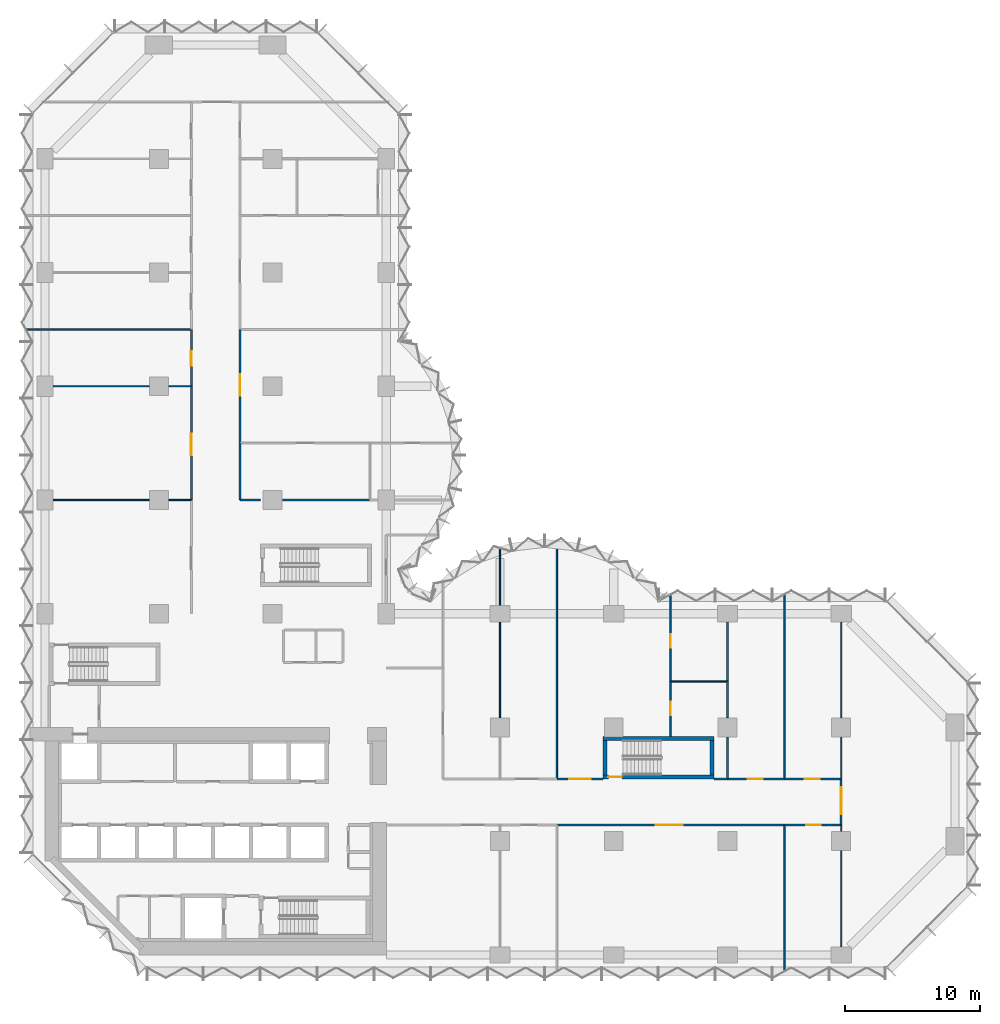
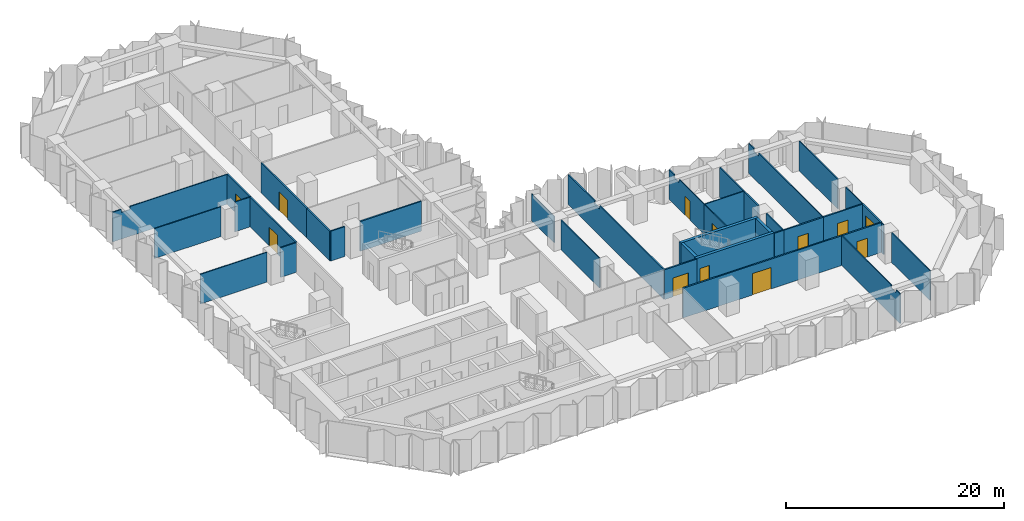
# One storey, part 10 of 15: 37 walls, 12 doors, 12 openings.
"""IFC4 building model written with IfcOpenShell, lengths in metres."""

from ifc_helpers import new_model, si_unit, direction, frame, frame_2d, origin, place, context, subcontext, project, spatial, polyline, rectangle, outline, extrude, material, layer, layer_set, type_object, element, fill, save


model = new_model("IFC4")

# Units and contexts
model_context = context("Model", 3, precision=1e-05, world=origin(), true_north=direction((0.0, 1.0)))
body_context = subcontext(model_context, "Body", "Model", "MODEL_VIEW")
ifc_project = project(units=[si_unit("LENGTHUNIT", "METRE"), si_unit("AREAUNIT", "SQUARE_METRE"), si_unit("VOLUMEUNIT", "CUBIC_METRE"), si_unit("PLANEANGLEUNIT", "RADIAN"), si_unit("MASSUNIT", "GRAM", prefix="KILO")], contexts=[model_context])

# Site, building, storey
site_placement = place(None, origin())
site = spatial("IfcSite", under=ifc_project, at=site_placement, CompositionType="ELEMENT")
building_placement = place(site_placement, origin())
building = spatial("IfcBuilding", under=site, at=building_placement, Name="Brevane Broadcast Tower", CompositionType="ELEMENT")
storey_placement = place(building_placement, frame((0.0, 0.0, 76.10009765625)))
storey = spatial("IfcBuildingStorey", under=building, at=storey_placement, Name="L17", CompositionType="ELEMENT", Elevation=76.10009765625)

# Wall, opening, door
ifc_material_1 = material(Name="Concrete C80/95", Category="concrete")
ifc_layer_1 = layer(ifc_material_1, 0.300048828125)
ifc_layer_set_1 = layer_set([ifc_layer_1], Name="Core wall 300 mm C80/95")
wall_type_1 = type_object("IfcWallType", Name="Core wall 300 mm C80/95", PredefinedType="SHEAR", material=ifc_layer_set_1)
wall_1_placement = place(storey_placement, frame((49.39990234375, 13.14990234375, 0.0), z_axis=(0.0, 0.0, 1.0), x_axis=(-1.0, 0.0, 0.0)))
wall_1 = element("IfcWall", 1, at=wall_1_placement, inside=storey, type_object=wall_type_1, Name="L17 stair wall ST-4-S", PredefinedType="SHEAR", context=body_context, shape_type="SweptSolid", body=[
    extrude(rectangle(XDim=8.199951171875, YDim=0.300048828125, at=frame_2d((4.10009765625, 0.0))), origin(), (0.0, 0.0, 1.0), 3.349853515625),
])
opening_1_placement = place(wall_1_placement, frame((6.800048828125, 0.0, 0.0)))
opening_1 = element("IfcOpeningElement", 2, at=opening_1_placement, cuts=wall_1, Name="Opening L17-K15", PredefinedType="OPENING", context=body_context, shape_type="SweptSolid", body=[
    extrude(rectangle(XDim=1.0, YDim=2.10009765625, at=frame_2d((0.5, 1.050048828125))), frame((0.0, 0.159912109375, 0.0), z_axis=(0.0, -1.0, 0.0), x_axis=(1.0, 0.0, 0.0)), (0.0, 0.0, 1.0), 0.320068359375),
])
ifc_material_2 = material(Name="Steel", Category="steel")
door_type_1 = type_object("IfcDoorType", Name="Stair door 1000 x 2100", OperationType="SINGLE_SWING_LEFT", PredefinedType="DOOR", material=ifc_material_2)
door_1_placement = place(opening_1_placement, origin())
door_1 = element("IfcDoor", 3, at=door_1_placement, inside=storey, type_object=door_type_1, Name="Door L17-K15", OperationType="SINGLE_SWING_LEFT", OverallHeight=2.10009765625, OverallWidth=1.0, PredefinedType="DOOR", context=body_context, shape_type="SweptSolid", body=[
    extrude(rectangle(XDim=1.0, YDim=2.10009765625, at=frame_2d((0.5, 1.050048828125))), frame((0.0, 0.02490234375, 0.0), z_axis=(0.0, -1.0, 0.0), x_axis=(1.0, 0.0, 0.0)), (0.0, 0.0, 1.0), 0.050048828125),
])
fill(opening_1, door_1)

# Walls
wall_2_placement = place(storey_placement, frame((41.199951171875, 16.0, 0.0), z_axis=(0.0, 0.0, 1.0), x_axis=(1.0, 0.0, 0.0)))
element("IfcWall", 4, at=wall_2_placement, inside=storey, type_object=wall_type_1, Name="L17 stair wall ST-4-N", PredefinedType="SHEAR", context=body_context, shape_type="SweptSolid", body=[
    extrude(rectangle(XDim=8.199951171875, YDim=0.300048828125, at=frame_2d((4.10009765625, 0.0))), origin(), (0.0, 0.0, 1.0), 3.349853515625),
])
for number, where, z_axis, x_axis, name in (
    (5, (41.35009765625, 13.300048828125, 0.0), (0.0, 0.0, 1.0), (0.0, 1.0, 0.0), "L17 stair wall ST-4-W"),
    (6, (49.25, 13.300048828125, 0.0), (0.0, 0.0, 1.0), (0.0, 1.0, 0.0), "L17 stair wall ST-4-E"),
):
    element("IfcWall", number, at=place(storey_placement, frame(where, z_axis=z_axis, x_axis=x_axis)), inside=storey, type_object=wall_type_1, Name=name, PredefinedType="SHEAR", context=body_context, shape_type="SweptSolid", body=[
        extrude(rectangle(XDim=2.550048828125, YDim=0.300048828125, at=frame_2d((1.27490234375, 0.0))), origin(), (0.0, 0.0, 1.0), 3.349853515625),
    ])
ifc_material_3 = material(Name="Gypsum board partition")
ifc_layer_2 = layer(ifc_material_3, 0.10009765625)
ifc_layer_set_2 = layer_set([ifc_layer_2], Name="PARTITION 100 STUD")
wall_type_2 = type_object("IfcWallType", Name="PARTITION 100 STUD", PredefinedType="PARTITIONING", material=ifc_layer_set_2)
wall_3_placement = place(storey_placement, frame((58.800048828125, 0.6201171875, 0.0), z_axis=(0.0, 0.0, 1.0), x_axis=(0.0, 1.0, 0.0)))
element("IfcWall", 7, at=wall_3_placement, inside=storey, type_object=wall_type_2, Name="Partition G04-018", PredefinedType="PARTITIONING", context=body_context, shape_type="SweptSolid", body=[
    extrude(rectangle(XDim=7.059814453125, YDim=0.10009765625, at=frame_2d((3.52978515625, 0.0))), origin(), (0.0, 0.0, 1.0), 3.329833984375),
])
wall_4_placement = place(storey_placement, frame((58.800048828125, 9.1201171875, 0.0), z_axis=(0.0, 0.0, 1.0), x_axis=(0.0, 1.0, 0.0)))
element("IfcWall", 8, at=wall_4_placement, inside=storey, type_object=wall_type_2, Name="Partition G04-019", PredefinedType="PARTITIONING", context=body_context, shape_type="SweptSolid", body=[
    extrude(rectangle(XDim=0.47998046875, YDim=0.10009765625, at=frame_2d((0.239990234375, 0.0))), origin(), (0.0, 0.0, 1.0), 3.329833984375),
])
wall_5_placement = place(storey_placement, frame((58.800048828125, 13.0, 0.0), z_axis=(0.0, 0.0, 1.0), x_axis=(0.0, 1.0, 0.0)))
element("IfcWall", 9, at=wall_5_placement, inside=storey, type_object=wall_type_2, Name="Partition G04-020", PredefinedType="PARTITIONING", context=body_context, shape_type="SweptSolid", body=[
    extrude(rectangle(XDim=3.080078125, YDim=0.10009765625, at=frame_2d((1.5400390625, 0.0))), origin(), (0.0, 0.0, 1.0), 3.329833984375),
])
wall_6_placement = place(storey_placement, frame((58.800048828125, 17.52001953125, 0.0), z_axis=(0.0, 0.0, 1.0), x_axis=(0.0, 1.0, 0.0)))
element("IfcWall", 10, at=wall_6_placement, inside=storey, type_object=wall_type_2, Name="Partition G04-021", PredefinedType="PARTITIONING", context=body_context, shape_type="SweptSolid", body=[
    extrude(rectangle(XDim=7.06005859375, YDim=0.10009765625, at=frame_2d((3.530029296875, 0.0))), origin(), (0.0, 0.0, 1.0), 3.329833984375),
])
wall_7_placement = place(storey_placement, frame((54.60009765625, 9.60009765625, 0.0), z_axis=(0.0, 0.0, 1.0), x_axis=(0.0, -1.0, 0.0)))
element("IfcWall", 11, at=wall_7_placement, inside=storey, type_object=wall_type_2, Name="Partition G04-025", PredefinedType="PARTITIONING", context=body_context, shape_type="SweptSolid", body=[
    extrude(outline(polyline([(0.0, 0.0), (10.774169921875, 0.0), (10.77392578125, 3.329833984375), (10.699951171875, 3.329833984375), (10.050048828125, 3.329833984375), (10.048095703125, 2.97998046875), (9.152099609375, 2.97998046875), (9.14990234375, 3.329833984375), (0.0, 3.329833984375), (0.0, 0.0)])), frame((0.0, 0.050048828125, 0.0), z_axis=(0.0, -1.0, 0.0), x_axis=(1.0, 0.0, 0.0)), (0.0, 0.0, 1.0), 0.10009765625),
])
wall_8_placement = place(storey_placement, frame((33.60009765625, 29.98828125, 0.0), z_axis=(0.0, 0.0, 1.0), x_axis=(0.0, -1.0, 0.0)))
element("IfcWall", 12, at=wall_8_placement, inside=storey, type_object=wall_type_2, Name="Partition G04-026", PredefinedType="PARTITIONING", context=body_context, shape_type="SweptSolid", body=[
    extrude(rectangle(XDim=4.168212890625, YDim=0.10009765625, at=frame_2d((2.083984375, 0.0))), origin(), (0.0, 0.0, 1.0), 2.97998046875),
])
wall_9_placement = place(storey_placement, frame((33.60009765625, 24.580078125, 0.0), z_axis=(0.0, 0.0, 1.0), x_axis=(0.0, -1.0, 0.0)))
element("IfcWall", 13, at=wall_9_placement, inside=storey, type_object=wall_type_2, Name="Partition G04-027", PredefinedType="PARTITIONING", context=body_context, shape_type="SweptSolid", body=[
    extrude(rectangle(XDim=7.06005859375, YDim=0.10009765625, at=frame_2d((3.530029296875, 0.0))), origin(), (0.0, 0.0, 1.0), 3.329833984375),
])

# Wall, opening, door
wall_10_placement = place(storey_placement, frame((46.199951171875, 20.199951171875, 0.0), z_axis=(0.0, 0.0, 1.0), x_axis=(0.0, -1.0, 0.0)))
wall_10 = element("IfcWall", 14, at=wall_10_placement, inside=storey, type_object=wall_type_2, Name="Partition G04-030", PredefinedType="PARTITIONING", context=body_context, shape_type="SweptSolid", body=[
    extrude(rectangle(XDim=4.050048828125, YDim=0.10009765625, at=frame_2d((2.02490234375, 0.0))), origin(), (0.0, 0.0, 1.0), 3.329833984375),
])
opening_2_placement = place(wall_10_placement, frame((1.5, 0.0, 0.0)))
opening_2 = element("IfcOpeningElement", 15, at=opening_2_placement, cuts=wall_10, Name="Opening D10-010", PredefinedType="OPENING", context=body_context, shape_type="SweptSolid", body=[
    extrude(rectangle(XDim=1.0, YDim=2.10009765625, at=frame_2d((0.5, 1.050048828125))), frame((0.0, 0.06005859375, 0.0), z_axis=(0.0, -1.0, 0.0), x_axis=(1.0, 0.0, 0.0)), (0.0, 0.0, 1.0), 0.1201171875),
])
ifc_material_4 = material(Name="Timber door leaf", Category="wood")
door_type_2 = type_object("IfcDoorType", Name="DOOR SINGLE 1000 INTERNAL", OperationType="SINGLE_SWING_LEFT", PredefinedType="DOOR", material=ifc_material_4)
door_2_placement = place(opening_2_placement, origin())
door_2 = element("IfcDoor", 16, at=door_2_placement, inside=storey, type_object=door_type_2, Name="Door D10-010", OperationType="SINGLE_SWING_LEFT", OverallHeight=2.10009765625, OverallWidth=1.0, PredefinedType="DOOR", context=body_context, shape_type="SweptSolid", body=[
    extrude(rectangle(XDim=1.0, YDim=2.10009765625, at=frame_2d((0.5, 1.050048828125))), frame((0.0, 0.02490234375, 0.0), z_axis=(0.0, -1.0, 0.0), x_axis=(1.0, 0.0, 0.0)), (0.0, 0.0, 1.0), 0.050048828125),
])
fill(opening_2, door_2)

wall_11_placement = place(storey_placement, frame((46.199951171875, 26.56494140625, 0.0), z_axis=(0.0, 0.0, 1.0), x_axis=(0.0, -1.0, 0.0)))
wall_11 = element("IfcWall", 17, at=wall_11_placement, inside=storey, type_object=wall_type_2, Name="Partition G04-031", PredefinedType="PARTITIONING", context=body_context, shape_type="SweptSolid", body=[
    extrude(outline(polyline([(0.0, 0.0), (6.364990234375, 0.0), (6.364990234375, 3.329833984375), (1.81494140625, 3.329833984375), (1.81298828125, 2.97998046875), (0.9169921875, 2.97998046875), (0.9150390625, 3.329833984375), (0.264892578125, 3.329833984375), (0.0, 3.329833984375), (0.0, 0.0)])), frame((0.0, 0.050048828125, 0.0), z_axis=(0.0, -1.0, 0.0), x_axis=(1.0, 0.0, 0.0)), (0.0, 0.0, 1.0), 0.10009765625),
])
opening_3_placement = place(wall_11_placement, frame((2.864990234375, 0.0, 0.0)))
opening_3 = element("IfcOpeningElement", 18, at=opening_3_placement, cuts=wall_11, Name="Opening D10-011", PredefinedType="OPENING", context=body_context, shape_type="SweptSolid", body=[
    extrude(rectangle(XDim=1.0, YDim=2.10009765625, at=frame_2d((0.5, 1.050048828125))), frame((0.0, 0.06005859375, 0.0), z_axis=(0.0, -1.0, 0.0), x_axis=(1.0, 0.0, 0.0)), (0.0, 0.0, 1.0), 0.1201171875),
])
door_3_placement = place(opening_3_placement, origin())
door_3 = element("IfcDoor", 19, at=door_3_placement, inside=storey, type_object=door_type_2, Name="Door D10-011", OperationType="SINGLE_SWING_LEFT", OverallHeight=2.10009765625, OverallWidth=1.0, PredefinedType="DOOR", context=body_context, shape_type="SweptSolid", body=[
    extrude(rectangle(XDim=1.0, YDim=2.10009765625, at=frame_2d((0.5, 1.050048828125))), frame((0.0, 0.02490234375, 0.0), z_axis=(0.0, -1.0, 0.0), x_axis=(1.0, 0.0, 0.0)), (0.0, 0.0, 1.0), 0.050048828125),
])
fill(opening_3, door_3)

# Walls
wall_12_placement = place(storey_placement, frame((46.199951171875, 20.199951171875, 0.0), z_axis=(0.0, 0.0, 1.0), x_axis=(1.0, 0.0, 0.0)))
element("IfcWall", 20, at=wall_12_placement, inside=storey, type_object=wall_type_2, Name="Partition G04-032", PredefinedType="PARTITIONING", context=body_context, shape_type="SweptSolid", body=[
    extrude(rectangle(XDim=4.199951171875, YDim=0.10009765625, at=frame_2d((2.10009765625, 0.0))), origin(), (0.0, 0.0, 1.0), 3.329833984375),
])
wall_13_placement = place(storey_placement, frame((54.60009765625, 26.56494140625, 0.0), z_axis=(0.0, 0.0, 1.0), x_axis=(0.0, -1.0, 0.0)))
element("IfcWall", 21, at=wall_13_placement, inside=storey, type_object=wall_type_2, Name="Partition G04-036", PredefinedType="PARTITIONING", context=body_context, shape_type="SweptSolid", body=[
    extrude(outline(polyline([(0.0, 0.0), (13.56494140625, 0.0), (13.56494140625, 3.329833984375), (1.81494140625, 3.329833984375), (1.81298828125, 2.97998046875), (0.9169921875, 2.97998046875), (0.9150390625, 3.329833984375), (0.264892578125, 3.329833984375), (0.0, 3.329833984375), (0.0, 0.0)])), frame((0.0, 0.050048828125, 0.0), z_axis=(0.0, -1.0, 0.0), x_axis=(1.0, 0.0, 0.0)), (0.0, 0.0, 1.0), 0.10009765625),
])
wall_14_placement = place(storey_placement, frame((0.6201171875, 33.60009765625, 0.0), z_axis=(0.0, 0.0, 1.0), x_axis=(1.0, 0.0, 0.0)))
element("IfcWall", 22, at=wall_14_placement, inside=storey, type_object=wall_type_2, Name="Partition G04-056", PredefinedType="PARTITIONING", context=body_context, shape_type="SweptSolid", body=[
    extrude(rectangle(XDim=7.059814453125, YDim=0.10009765625, at=frame_2d((3.52978515625, 0.0))), origin(), (0.0, 0.0, 1.0), 3.329833984375),
])
wall_15_placement = place(storey_placement, frame((9.1201171875, 33.60009765625, 0.0), z_axis=(0.0, 0.0, 1.0), x_axis=(1.0, 0.0, 0.0)))
element("IfcWall", 23, at=wall_15_placement, inside=storey, type_object=wall_type_2, Name="Partition G04-057", PredefinedType="PARTITIONING", context=body_context, shape_type="SweptSolid", body=[
    extrude(rectangle(XDim=1.679931640625, YDim=0.10009765625, at=frame_2d((0.83984375, 0.0))), origin(), (0.0, 0.0, 1.0), 3.329833984375),
])
wall_16_placement = place(storey_placement, frame((0.6201171875, 42.0, 0.0), z_axis=(0.0, 0.0, 1.0), x_axis=(1.0, 0.0, 0.0)))
element("IfcWall", 24, at=wall_16_placement, inside=storey, type_object=wall_type_2, Name="Partition G04-058", PredefinedType="PARTITIONING", context=body_context, shape_type="SweptSolid", body=[
    extrude(rectangle(XDim=7.059814453125, YDim=0.10009765625, at=frame_2d((3.52978515625, 0.0))), origin(), (0.0, 0.0, 1.0), 3.329833984375),
])
wall_17_placement = place(storey_placement, frame((9.1201171875, 42.0, 0.0), z_axis=(0.0, 0.0, 1.0), x_axis=(1.0, 0.0, 0.0)))
element("IfcWall", 25, at=wall_17_placement, inside=storey, type_object=wall_type_2, Name="Partition G04-059", PredefinedType="PARTITIONING", context=body_context, shape_type="SweptSolid", body=[
    extrude(rectangle(XDim=1.679931640625, YDim=0.10009765625, at=frame_2d((0.83984375, 0.0))), origin(), (0.0, 0.0, 1.0), 3.329833984375),
])
wall_18_placement = place(storey_placement, frame((-1.364990234375, 46.199951171875, 0.0), z_axis=(0.0, 0.0, 1.0), x_axis=(1.0, 0.0, 0.0)))
element("IfcWall", 26, at=wall_18_placement, inside=storey, type_object=wall_type_2, Name="Partition G04-060", PredefinedType="PARTITIONING", context=body_context, shape_type="SweptSolid", body=[
    extrude(outline(polyline([(0.0, 0.0), (12.1650390625, 0.0), (12.1650390625, 3.329833984375), (1.81494140625, 3.329833984375), (1.81298828125, 2.97998046875), (0.9169921875, 2.97998046875), (0.9150390625, 3.329833984375), (0.264892578125, 3.329833984375), (0.0, 3.329833984375), (0.0, 0.0)])), frame((0.0, 0.050048828125, 0.0), z_axis=(0.0, -1.0, 0.0), x_axis=(1.0, 0.0, 0.0)), (0.0, 0.0, 1.0), 0.10009765625),
])
ifc_layer_3 = layer(ifc_material_3, 0.125)
ifc_layer_set_3 = layer_set([ifc_layer_3], Name="PARTITION 125 ACOUSTIC")
wall_type_3 = type_object("IfcWallType", Name="PARTITION 125 ACOUSTIC", PredefinedType="PARTITIONING", material=ifc_layer_set_3)
wall_19_placement = place(storey_placement, frame((37.800048828125, 30.52587890625, 0.0), z_axis=(0.0, 0.0, 1.0), x_axis=(0.0, -1.0, 0.0)))
element("IfcWall", 27, at=wall_19_placement, inside=storey, type_object=wall_type_3, Name="Partition G04-029", PredefinedType="PARTITIONING", context=body_context, shape_type="SweptSolid", body=[
    extrude(outline(polyline([(0.0, 0.0), (17.52587890625, 0.0), (17.52587890625, 3.329833984375), (5.77587890625, 3.329833984375), (5.77392578125, 2.97998046875), (4.8779296875, 2.97998046875), (4.8759765625, 3.329833984375), (0.283203125, 3.329833984375), (0.0, 3.329833984375), (0.0, 0.0)])), frame((0.0, 0.0625, 0.0), z_axis=(0.0, -1.0, 0.0), x_axis=(1.0, 0.0, 0.0)), (0.0, 0.0, 1.0), 0.125),
])
wall_20_placement = place(storey_placement, frame((50.39990234375, 20.199951171875, 0.0), z_axis=(0.0, 0.0, 1.0), x_axis=(0.0, -1.0, 0.0)))
element("IfcWall", 28, at=wall_20_placement, inside=storey, type_object=wall_type_3, Name="Partition G04-033", PredefinedType="PARTITIONING", context=body_context, shape_type="SweptSolid", body=[
    extrude(rectangle(XDim=2.679931640625, YDim=0.125, at=frame_2d((1.33984375, 0.0))), origin(), (0.0, 0.0, 1.0), 3.329833984375),
])
wall_21_placement = place(storey_placement, frame((50.39990234375, 16.080078125, 0.0), z_axis=(0.0, 0.0, 1.0), x_axis=(0.0, -1.0, 0.0)))
element("IfcWall", 29, at=wall_21_placement, inside=storey, type_object=wall_type_3, Name="Partition G04-034", PredefinedType="PARTITIONING", context=body_context, shape_type="SweptSolid", body=[
    extrude(rectangle(XDim=3.080078125, YDim=0.125, at=frame_2d((1.5400390625, 0.0))), origin(), (0.0, 0.0, 1.0), 3.329833984375),
])
wall_22_placement = place(storey_placement, frame((50.39990234375, 24.580078125, 0.0), z_axis=(0.0, 0.0, 1.0), x_axis=(0.0, -1.0, 0.0)))
element("IfcWall", 30, at=wall_22_placement, inside=storey, type_object=wall_type_3, Name="Partition G04-035", PredefinedType="PARTITIONING", context=body_context, shape_type="SweptSolid", body=[
    extrude(rectangle(XDim=4.380126953125, YDim=0.125, at=frame_2d((2.18994140625, 0.0))), origin(), (0.0, 0.0, 1.0), 3.329833984375),
])

# Wall, opening, door
ifc_layer_4 = layer(ifc_material_3, 0.14990234375)
ifc_layer_set_4 = layer_set([ifc_layer_4], Name="PARTITION 150 EI 60")
wall_type_4 = type_object("IfcWallType", Name="PARTITION 150 EI 60", PredefinedType="PARTITIONING", material=ifc_layer_set_4)
wall_23_placement = place(storey_placement, frame((58.800048828125, 13.0, 0.0), z_axis=(0.0, 0.0, 1.0), x_axis=(0.0, -1.0, 0.0)))
wall_23 = element("IfcWall", 31, at=wall_23_placement, inside=storey, type_object=wall_type_4, Name="Partition G04-007", PredefinedType="PARTITIONING", context=body_context, shape_type="SweptSolid", body=[
    extrude(rectangle(XDim=3.39990234375, YDim=0.14990234375, at=frame_2d((1.699951171875, 0.0))), origin(), (0.0, 0.0, 1.0), 3.329833984375),
])
opening_4_placement = place(wall_23_placement, frame((0.60009765625, 0.0, 0.0)))
opening_4 = element("IfcOpeningElement", 32, at=opening_4_placement, cuts=wall_23, Name="Opening D10-002", PredefinedType="OPENING", context=body_context, shape_type="SweptSolid", body=[
    extrude(rectangle(XDim=2.0, YDim=2.39990234375, at=frame_2d((1.0, 1.199951171875))), frame((0.0, 0.0849609375, 0.0), z_axis=(0.0, -1.0, 0.0), x_axis=(1.0, 0.0, 0.0)), (0.0, 0.0, 1.0), 0.169921875),
])
ifc_material_5 = material(Name="Fire-rated timber door leaf", Category="wood")
door_type_3 = type_object("IfcDoorType", Name="DOOR DOUBLE 2000 FD30S", OperationType="DOUBLE_DOOR_SINGLE_SWING", PredefinedType="DOOR", material=ifc_material_5)
door_4_placement = place(opening_4_placement, origin())
door_4 = element("IfcDoor", 33, at=door_4_placement, inside=storey, type_object=door_type_3, Name="Door D10-002", OperationType="DOUBLE_DOOR_SINGLE_SWING", OverallHeight=2.39990234375, OverallWidth=2.0, PredefinedType="DOOR", context=body_context, shape_type="SweptSolid", body=[
    extrude(rectangle(XDim=2.0, YDim=2.39990234375, at=frame_2d((1.0, 1.199951171875))), frame((0.0, 0.02490234375, 0.0), z_axis=(0.0, -1.0, 0.0), x_axis=(1.0, 0.0, 0.0)), (0.0, 0.0, 1.0), 0.050048828125),
])
fill(opening_4, door_4)

wall_24_placement = place(storey_placement, frame((54.60009765625, 9.60009765625, 0.0), z_axis=(0.0, 0.0, 1.0), x_axis=(-1.0, 0.0, 0.0)))
wall_24 = element("IfcWall", 34, at=wall_24_placement, inside=storey, type_object=wall_type_4, Name="Partition G04-010", PredefinedType="PARTITIONING", context=body_context, shape_type="SweptSolid", body=[
    extrude(rectangle(XDim=16.800048828125, YDim=0.14990234375, at=frame_2d((8.39990234375, 0.0))), origin(), (0.0, 0.0, 1.0), 3.329833984375),
])
opening_5_placement = place(wall_24_placement, frame((7.5, 0.0, 0.0)))
opening_5 = element("IfcOpeningElement", 35, at=opening_5_placement, cuts=wall_24, Name="Opening D10-005", PredefinedType="OPENING", context=body_context, shape_type="SweptSolid", body=[
    extrude(rectangle(XDim=2.0, YDim=2.39990234375, at=frame_2d((1.0, 1.199951171875))), frame((0.0, 0.0849609375, 0.0), z_axis=(0.0, -1.0, 0.0), x_axis=(1.0, 0.0, 0.0)), (0.0, 0.0, 1.0), 0.169921875),
])
door_5_placement = place(opening_5_placement, origin())
door_5 = element("IfcDoor", 36, at=door_5_placement, inside=storey, type_object=door_type_3, Name="Door D10-005", OperationType="DOUBLE_DOOR_SINGLE_SWING", OverallHeight=2.39990234375, OverallWidth=2.0, PredefinedType="DOOR", context=body_context, shape_type="SweptSolid", body=[
    extrude(rectangle(XDim=2.0, YDim=2.39990234375, at=frame_2d((1.0, 1.199951171875))), frame((0.0, 0.02490234375, 0.0), z_axis=(0.0, -1.0, 0.0), x_axis=(1.0, 0.0, 0.0)), (0.0, 0.0, 1.0), 0.050048828125),
])
fill(opening_5, door_5)

wall_25_placement = place(storey_placement, frame((58.800048828125, 9.60009765625, 0.0), z_axis=(0.0, 0.0, 1.0), x_axis=(-1.0, 0.0, 0.0)))
wall_25 = element("IfcWall", 37, at=wall_25_placement, inside=storey, type_object=wall_type_4, Name="Partition G04-011", PredefinedType="PARTITIONING", context=body_context, shape_type="SweptSolid", body=[
    extrude(rectangle(XDim=4.199951171875, YDim=0.14990234375, at=frame_2d((2.10009765625, 0.0))), origin(), (0.0, 0.0, 1.0), 3.329833984375),
])
opening_6_placement = place(wall_25_placement, frame((1.5, 0.0, 0.0)))
opening_6 = element("IfcOpeningElement", 38, at=opening_6_placement, cuts=wall_25, Name="Opening D10-006", PredefinedType="OPENING", context=body_context, shape_type="SweptSolid", body=[
    extrude(rectangle(XDim=1.10009765625, YDim=2.10009765625, at=frame_2d((0.550048828125, 1.050048828125))), frame((0.0, 0.0849609375, 0.0), z_axis=(0.0, -1.0, 0.0), x_axis=(1.0, 0.0, 0.0)), (0.0, 0.0, 1.0), 0.169921875),
])
door_type_4 = type_object("IfcDoorType", Name="DOOR SINGLE 1100 FD30S", OperationType="SINGLE_SWING_LEFT", PredefinedType="DOOR", material=ifc_material_5)
door_6_placement = place(opening_6_placement, origin())
door_6 = element("IfcDoor", 39, at=door_6_placement, inside=storey, type_object=door_type_4, Name="Door D10-006", OperationType="SINGLE_SWING_LEFT", OverallHeight=2.10009765625, OverallWidth=1.10009765625, PredefinedType="DOOR", context=body_context, shape_type="SweptSolid", body=[
    extrude(rectangle(XDim=1.10009765625, YDim=2.10009765625, at=frame_2d((0.550048828125, 1.050048828125))), frame((0.0, 0.02490234375, 0.0), z_axis=(0.0, -1.0, 0.0), x_axis=(1.0, 0.0, 0.0)), (0.0, 0.0, 1.0), 0.050048828125),
])
fill(opening_6, door_6)

wall_26_placement = place(storey_placement, frame((37.800048828125, 13.0, 0.0), z_axis=(0.0, 0.0, 1.0), x_axis=(1.0, 0.0, 0.0)))
wall_26 = element("IfcWall", 40, at=wall_26_placement, inside=storey, type_object=wall_type_4, Name="Partition G04-014", PredefinedType="PARTITIONING", context=body_context, shape_type="SweptSolid", body=[
    extrude(rectangle(XDim=3.39990234375, YDim=0.14990234375, at=frame_2d((1.699951171875, 0.0))), origin(), (0.0, 0.0, 1.0), 3.329833984375),
])
opening_7_placement = place(wall_26_placement, frame((0.89990234375, 0.0, 0.0)))
opening_7 = element("IfcOpeningElement", 41, at=opening_7_placement, cuts=wall_26, Name="Opening D10-009", PredefinedType="OPENING", context=body_context, shape_type="SweptSolid", body=[
    extrude(rectangle(XDim=1.60009765625, YDim=2.10009765625, at=frame_2d((0.800048828125, 1.050048828125))), frame((0.0, 0.0849609375, 0.0), z_axis=(0.0, -1.0, 0.0), x_axis=(1.0, 0.0, 0.0)), (0.0, 0.0, 1.0), 0.169921875),
])
door_type_5 = type_object("IfcDoorType", Name="DOOR DOUBLE 1600 FD30S", OperationType="DOUBLE_DOOR_SINGLE_SWING", PredefinedType="DOOR", material=ifc_material_5)
door_7_placement = place(opening_7_placement, origin())
door_7 = element("IfcDoor", 42, at=door_7_placement, inside=storey, type_object=door_type_5, Name="Door D10-009", OperationType="DOUBLE_DOOR_SINGLE_SWING", OverallHeight=2.10009765625, OverallWidth=1.60009765625, PredefinedType="DOOR", context=body_context, shape_type="SweptSolid", body=[
    extrude(rectangle(XDim=1.60009765625, YDim=2.10009765625, at=frame_2d((0.800048828125, 1.050048828125))), frame((0.0, 0.02490234375, 0.0), z_axis=(0.0, -1.0, 0.0), x_axis=(1.0, 0.0, 0.0)), (0.0, 0.0, 1.0), 0.050048828125),
])
fill(opening_7, door_7)

# Wall
wall_27_placement = place(storey_placement, frame((49.39990234375, 13.0, 0.0), z_axis=(0.0, 0.0, 1.0), x_axis=(1.0, 0.0, 0.0)))
element("IfcWall", 43, at=wall_27_placement, inside=storey, type_object=wall_type_4, Name="Partition G04-015", PredefinedType="PARTITIONING", context=body_context, shape_type="SweptSolid", body=[
    extrude(rectangle(XDim=1.0, YDim=0.14990234375, at=frame_2d((0.5, 0.0))), origin(), (0.0, 0.0, 1.0), 3.329833984375),
])

# Wall, opening, door
wall_28_placement = place(storey_placement, frame((50.39990234375, 13.0, 0.0), z_axis=(0.0, 0.0, 1.0), x_axis=(1.0, 0.0, 0.0)))
wall_28 = element("IfcWall", 44, at=wall_28_placement, inside=storey, type_object=wall_type_4, Name="Partition G04-016", PredefinedType="PARTITIONING", context=body_context, shape_type="SweptSolid", body=[
    extrude(rectangle(XDim=4.2001953125, YDim=0.14990234375, at=frame_2d((2.10009765625, 0.0))), origin(), (0.0, 0.0, 1.0), 3.329833984375),
])
opening_8_placement = place(wall_28_placement, frame((1.5, 0.0, 0.0)))
opening_8 = element("IfcOpeningElement", 45, at=opening_8_placement, cuts=wall_28, Name="Opening D10-012", PredefinedType="OPENING", context=body_context, shape_type="SweptSolid", body=[
    extrude(rectangle(XDim=1.10009765625, YDim=2.10009765625, at=frame_2d((0.550048828125, 1.050048828125))), frame((0.0, 0.0849609375, 0.0), z_axis=(0.0, -1.0, 0.0), x_axis=(1.0, 0.0, 0.0)), (0.0, 0.0, 1.0), 0.169921875),
])
door_8_placement = place(opening_8_placement, origin())
door_8 = element("IfcDoor", 46, at=door_8_placement, inside=storey, type_object=door_type_4, Name="Door D10-012", OperationType="SINGLE_SWING_LEFT", OverallHeight=2.10009765625, OverallWidth=1.10009765625, PredefinedType="DOOR", context=body_context, shape_type="SweptSolid", body=[
    extrude(rectangle(XDim=1.10009765625, YDim=2.10009765625, at=frame_2d((0.550048828125, 1.050048828125))), frame((0.0, 0.02490234375, 0.0), z_axis=(0.0, -1.0, 0.0), x_axis=(1.0, 0.0, 0.0)), (0.0, 0.0, 1.0), 0.050048828125),
])
fill(opening_8, door_8)

wall_29_placement = place(storey_placement, frame((54.60009765625, 13.0, 0.0), z_axis=(0.0, 0.0, 1.0), x_axis=(1.0, 0.0, 0.0)))
wall_29 = element("IfcWall", 47, at=wall_29_placement, inside=storey, type_object=wall_type_4, Name="Partition G04-017", PredefinedType="PARTITIONING", context=body_context, shape_type="SweptSolid", body=[
    extrude(rectangle(XDim=4.199951171875, YDim=0.14990234375, at=frame_2d((2.10009765625, 0.0))), origin(), (0.0, 0.0, 1.0), 3.329833984375),
])
opening_9_placement = place(wall_29_placement, frame((1.5, 0.0, 0.0)))
opening_9 = element("IfcOpeningElement", 48, at=opening_9_placement, cuts=wall_29, Name="Opening D10-013", PredefinedType="OPENING", context=body_context, shape_type="SweptSolid", body=[
    extrude(rectangle(XDim=1.10009765625, YDim=2.10009765625, at=frame_2d((0.550048828125, 1.050048828125))), frame((0.0, 0.0849609375, 0.0), z_axis=(0.0, -1.0, 0.0), x_axis=(1.0, 0.0, 0.0)), (0.0, 0.0, 1.0), 0.169921875),
])
door_9_placement = place(opening_9_placement, origin())
door_9 = element("IfcDoor", 49, at=door_9_placement, inside=storey, type_object=door_type_4, Name="Door D10-013", OperationType="SINGLE_SWING_LEFT", OverallHeight=2.10009765625, OverallWidth=1.10009765625, PredefinedType="DOOR", context=body_context, shape_type="SweptSolid", body=[
    extrude(rectangle(XDim=1.10009765625, YDim=2.10009765625, at=frame_2d((0.550048828125, 1.050048828125))), frame((0.0, 0.02490234375, 0.0), z_axis=(0.0, -1.0, 0.0), x_axis=(1.0, 0.0, 0.0)), (0.0, 0.0, 1.0), 0.050048828125),
])
fill(opening_9, door_9)

# Walls
wall_30_placement = place(storey_placement, frame((14.39990234375, 33.60009765625, 0.0), z_axis=(0.0, 0.0, 1.0), x_axis=(1.0, 0.0, 0.0)))
element("IfcWall", 50, at=wall_30_placement, inside=storey, type_object=wall_type_4, Name="Partition G04-038", PredefinedType="PARTITIONING", context=body_context, shape_type="SweptSolid", body=[
    extrude(rectangle(XDim=1.5, YDim=0.14990234375, at=frame_2d((0.75, 0.0))), origin(), (0.0, 0.0, 1.0), 3.329833984375),
])
wall_31_placement = place(storey_placement, frame((17.52001953125, 33.60009765625, 0.0), z_axis=(0.0, 0.0, 1.0), x_axis=(1.0, 0.0, 0.0)))
element("IfcWall", 51, at=wall_31_placement, inside=storey, type_object=wall_type_4, Name="Partition G04-039", PredefinedType="PARTITIONING", context=body_context, shape_type="SweptSolid", body=[
    extrude(rectangle(XDim=6.47998046875, YDim=0.14990234375, at=frame_2d((3.239990234375, 0.0))), origin(), (0.0, 0.0, 1.0), 3.329833984375),
])

# Wall, opening, door
wall_32_placement = place(storey_placement, frame((10.800048828125, 33.60009765625, 0.0), z_axis=(0.0, 0.0, 1.0), x_axis=(0.0, 1.0, 0.0)))
wall_32 = element("IfcWall", 52, at=wall_32_placement, inside=storey, type_object=wall_type_4, Name="Partition G04-043", PredefinedType="PARTITIONING", context=body_context, shape_type="SweptSolid", body=[
    extrude(rectangle(XDim=8.39990234375, YDim=0.14990234375, at=frame_2d((4.199951171875, 0.0))), origin(), (0.0, 0.0, 1.0), 3.329833984375),
])
opening_10_placement = place(wall_32_placement, frame((3.300048828125, 0.0, 0.0)))
opening_10 = element("IfcOpeningElement", 53, at=opening_10_placement, cuts=wall_32, Name="Opening D10-016", PredefinedType="OPENING", context=body_context, shape_type="SweptSolid", body=[
    extrude(rectangle(XDim=1.60009765625, YDim=2.10009765625, at=frame_2d((0.800048828125, 1.050048828125))), frame((0.0, 0.0849609375, 0.0), z_axis=(0.0, -1.0, 0.0), x_axis=(1.0, 0.0, 0.0)), (0.0, 0.0, 1.0), 0.169921875),
])
door_10_placement = place(opening_10_placement, origin())
door_10 = element("IfcDoor", 54, at=door_10_placement, inside=storey, type_object=door_type_5, Name="Door D10-016", OperationType="DOUBLE_DOOR_SINGLE_SWING", OverallHeight=2.10009765625, OverallWidth=1.60009765625, PredefinedType="DOOR", context=body_context, shape_type="SweptSolid", body=[
    extrude(rectangle(XDim=1.60009765625, YDim=2.10009765625, at=frame_2d((0.800048828125, 1.050048828125))), frame((0.0, 0.02490234375, 0.0), z_axis=(0.0, -1.0, 0.0), x_axis=(1.0, 0.0, 0.0)), (0.0, 0.0, 1.0), 0.050048828125),
])
fill(opening_10, door_10)

wall_33_placement = place(storey_placement, frame((10.800048828125, 42.0, 0.0), z_axis=(0.0, 0.0, 1.0), x_axis=(0.0, 1.0, 0.0)))
wall_33 = element("IfcWall", 55, at=wall_33_placement, inside=storey, type_object=wall_type_4, Name="Partition G04-044", PredefinedType="PARTITIONING", context=body_context, shape_type="SweptSolid", body=[
    extrude(rectangle(XDim=4.199951171875, YDim=0.14990234375, at=frame_2d((2.10009765625, 0.0))), origin(), (0.0, 0.0, 1.0), 3.329833984375),
])
opening_11_placement = place(wall_33_placement, frame((1.5, 0.0, 0.0)))
opening_11 = element("IfcOpeningElement", 56, at=opening_11_placement, cuts=wall_33, Name="Opening D10-017", PredefinedType="OPENING", context=body_context, shape_type="SweptSolid", body=[
    extrude(rectangle(XDim=1.10009765625, YDim=2.10009765625, at=frame_2d((0.550048828125, 1.050048828125))), frame((0.0, 0.0849609375, 0.0), z_axis=(0.0, -1.0, 0.0), x_axis=(1.0, 0.0, 0.0)), (0.0, 0.0, 1.0), 0.169921875),
])
door_11_placement = place(opening_11_placement, origin())
door_11 = element("IfcDoor", 57, at=door_11_placement, inside=storey, type_object=door_type_4, Name="Door D10-017", OperationType="SINGLE_SWING_LEFT", OverallHeight=2.10009765625, OverallWidth=1.10009765625, PredefinedType="DOOR", context=body_context, shape_type="SweptSolid", body=[
    extrude(rectangle(XDim=1.10009765625, YDim=2.10009765625, at=frame_2d((0.550048828125, 1.050048828125))), frame((0.0, 0.02490234375, 0.0), z_axis=(0.0, -1.0, 0.0), x_axis=(1.0, 0.0, 0.0)), (0.0, 0.0, 1.0), 0.050048828125),
])
fill(opening_11, door_11)

wall_34_placement = place(storey_placement, frame((14.39990234375, 46.199951171875, 0.0), z_axis=(0.0, 0.0, 1.0), x_axis=(0.0, -1.0, 0.0)))
wall_34 = element("IfcWall", 58, at=wall_34_placement, inside=storey, type_object=wall_type_4, Name="Partition G04-049", PredefinedType="PARTITIONING", context=body_context, shape_type="SweptSolid", body=[
    extrude(rectangle(XDim=8.39990234375, YDim=0.14990234375, at=frame_2d((4.199951171875, 0.0))), origin(), (0.0, 0.0, 1.0), 3.329833984375),
])
opening_12_placement = place(wall_34_placement, frame((3.300048828125, 0.0, 0.0)))
opening_12 = element("IfcOpeningElement", 59, at=opening_12_placement, cuts=wall_34, Name="Opening D10-022", PredefinedType="OPENING", context=body_context, shape_type="SweptSolid", body=[
    extrude(rectangle(XDim=1.60009765625, YDim=2.10009765625, at=frame_2d((0.800048828125, 1.050048828125))), frame((0.0, 0.0849609375, 0.0), z_axis=(0.0, -1.0, 0.0), x_axis=(1.0, 0.0, 0.0)), (0.0, 0.0, 1.0), 0.169921875),
])
door_12_placement = place(opening_12_placement, origin())
door_12 = element("IfcDoor", 60, at=door_12_placement, inside=storey, type_object=door_type_5, Name="Door D10-022", OperationType="DOUBLE_DOOR_SINGLE_SWING", OverallHeight=2.10009765625, OverallWidth=1.60009765625, PredefinedType="DOOR", context=body_context, shape_type="SweptSolid", body=[
    extrude(rectangle(XDim=1.60009765625, YDim=2.10009765625, at=frame_2d((0.800048828125, 1.050048828125))), frame((0.0, 0.02490234375, 0.0), z_axis=(0.0, -1.0, 0.0), x_axis=(1.0, 0.0, 0.0)), (0.0, 0.0, 1.0), 0.050048828125),
])
fill(opening_12, door_12)

# Wall
wall_35_placement = place(storey_placement, frame((14.39990234375, 37.800048828125, 0.0), z_axis=(0.0, 0.0, 1.0), x_axis=(0.0, -1.0, 0.0)))
element("IfcWall", 61, at=wall_35_placement, inside=storey, type_object=wall_type_4, Name="Partition G04-050", PredefinedType="PARTITIONING", context=body_context, shape_type="SweptSolid", body=[
    extrude(rectangle(XDim=4.199951171875, YDim=0.14990234375, at=frame_2d((2.10009765625, 0.0))), origin(), (0.0, 0.0, 1.0), 3.329833984375),
])

save(model, "model.ifc")
